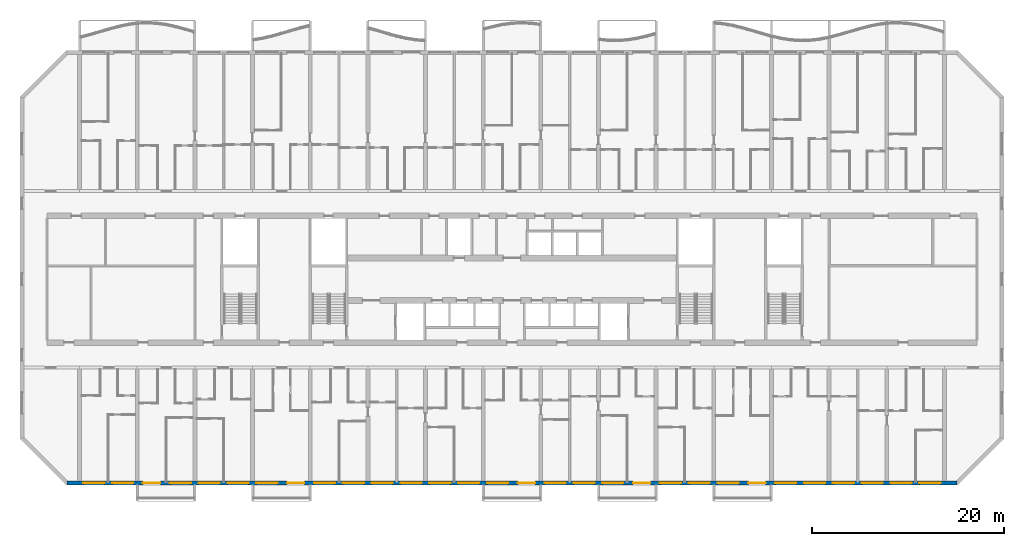
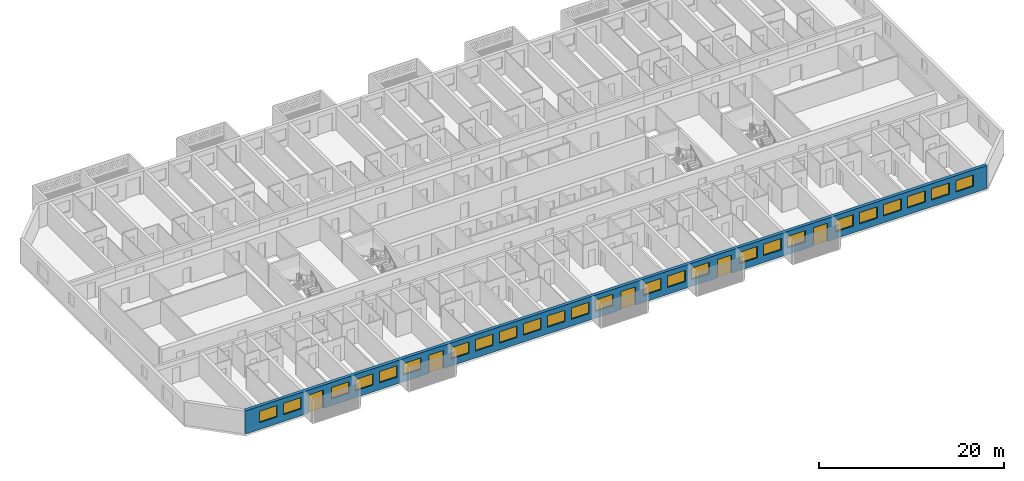
# One storey, part 5 of 40: 25 windows, 5 doors, 1 wall, 30 openings.
"""IFC4 building model written with IfcOpenShell, lengths in metres."""

import ifcopenshell
import ifcopenshell.guid

model = None  # the IFC model being written
_history = None  # IfcOwnerHistory: only IFC2X3 demands one
_inside = {}  # id of a spatial element -> (the spatial element, [elements in it])
_under = {}  # id of a project, library or spatial element -> (it, [spatial elements below it])
_declared = {}  # id of a project -> (the project, [libraries it declares])
_typed = {}  # id of a type object -> (the type object, [elements of that type])
_made_of = {}  # id of a material, layer set ... -> (it, [elements and type objects made of it])


def new_model(schema):
    """Start an empty IFC model of exactly this schema.

    Asked for "IFC4X3", IfcOpenShell would pick the latest addendum, in which some entities
    have other attributes; the version numbers below select the first issue.
    IFC2X3 requires an IfcOwnerHistory on every rooted entity: one is made here for all.
    """
    global model, _history
    if schema == "IFC4X3":
        model = ifcopenshell.file(schema_version=(4, 3, 0, 0))
    else:
        model = ifcopenshell.file(schema=schema)
    _inside.clear()
    _under.clear()
    _declared.clear()
    _typed.clear()
    _made_of.clear()
    _history = None
    if model.schema == "IFC2X3":
        org = make("IfcOrganization", Name="unknown")
        user = make(
            "IfcPersonAndOrganization",
            ThePerson=make("IfcPerson", FamilyName="unknown"),
            TheOrganization=org,
        )
        app = make(
            "IfcApplication",
            ApplicationDeveloper=org,
            Version="unknown",
            ApplicationFullName="unknown",
            ApplicationIdentifier="unknown",
        )
        _history = make(
            "IfcOwnerHistory",
            OwningUser=user,
            OwningApplication=app,
            ChangeAction="ADDED",
            CreationDate=0,
        )
    return model


def make(cls, **values):
    """One entity of the class cls with the attributes given. An attribute that is None is left unset."""
    return model.create_entity(
        cls, **{name: value for name, value in values.items() if value is not None}
    )


def rooted(cls, **values):
    """An entity with a GlobalId (a new one), such as an element, a storey or a relation."""
    return make(cls, GlobalId=ifcopenshell.guid.new(), OwnerHistory=_history, **values)


def si_unit(unit_type, name, prefix=None):
    """IfcSIUnit, for example si_unit("LENGTHUNIT", "METRE", prefix="MILLI")."""
    return make("IfcSIUnit", UnitType=unit_type, Prefix=prefix, Name=name)


def assignment(units):
    """IfcUnitAssignment: the units of a project."""
    return None if units is None else make("IfcUnitAssignment", Units=units)


def point(xyz):
    """IfcCartesianPoint."""
    return None if xyz is None else make("IfcCartesianPoint", Coordinates=xyz)


def direction(xyz):
    """IfcDirection."""
    return None if xyz is None else make("IfcDirection", DirectionRatios=xyz)


def frame(location, z_axis=None, x_axis=None):
    """IfcAxis2Placement3D, a coordinate frame: its origin and axes. An axis left out is left unset."""
    return make(
        "IfcAxis2Placement3D",
        Location=point(location),
        Axis=direction(z_axis),
        RefDirection=direction(x_axis),
    )


def frame_2d(location, x_axis=None):
    """IfcAxis2Placement2D, a coordinate frame in the plane: its origin and x axis."""
    return make(
        "IfcAxis2Placement2D", Location=point(location), RefDirection=direction(x_axis)
    )


def origin():
    """The frame at (0, 0, 0) with its axes left unset."""
    return frame((0.0, 0.0, 0.0))


def place(relative_to, where):
    """IfcLocalPlacement: puts the frame where relative to a parent placement (None: the world)."""
    return make(
        "IfcLocalPlacement", PlacementRelTo=relative_to, RelativePlacement=where
    )


def context(
    kind, dimensions, precision=None, world=None, true_north=None, identifier=None
):
    """IfcGeometricRepresentationContext, for example the 3D "Model" context."""
    return make(
        "IfcGeometricRepresentationContext",
        ContextIdentifier=identifier,
        ContextType=kind,
        CoordinateSpaceDimension=dimensions,
        Precision=precision,
        WorldCoordinateSystem=world,
        TrueNorth=true_north,
    )


def subcontext(parent, identifier, kind, view, scale=None):
    """IfcGeometricRepresentationSubContext, for example "Body" below "Model"."""
    return make(
        "IfcGeometricRepresentationSubContext",
        ContextIdentifier=identifier,
        ContextType=kind,
        ParentContext=parent,
        TargetScale=scale,
        TargetView=view,
    )


def project(units=None, contexts=None):
    """IfcProject with its units and contexts."""
    return rooted(
        "IfcProject",
        Name="project",
        RepresentationContexts=contexts,
        UnitsInContext=assignment(units),
    )


def spatial(cls, under=None, at=None, **own):
    """A site, building, storey or space (cls), placed at a placement, below another one or the project."""
    s = rooted(cls, ObjectPlacement=at, **own)
    if under is not None:
        _under.setdefault(under.id(), (under, []))[1].append(s)
    return s


def profile(cls, at=None, kind="AREA", **sizes):
    """A parametric profile (cls). Its sizes go by their IFC names, for example OverallWidth=200.0."""
    return make(cls, ProfileType=kind, Position=at, **sizes)


def rectangle(**sizes):
    """IfcRectangleProfileDef."""
    return profile("IfcRectangleProfileDef", **sizes)


def extrude(swept, where, along, depth):
    """IfcExtrudedAreaSolid: the profile swept, set in the frame where, extruded along a direction by depth."""
    return make(
        "IfcExtrudedAreaSolid",
        SweptArea=swept,
        Position=where,
        ExtrudedDirection=direction(along),
        Depth=depth,
    )


def shape(context_of_items, identifier, shape_type, items):
    """IfcShapeRepresentation: the items that make up one representation, for example the "Body"."""
    return make(
        "IfcShapeRepresentation",
        ContextOfItems=context_of_items,
        RepresentationIdentifier=identifier,
        RepresentationType=shape_type,
        Items=items,
    )


def material(Name=None, Category=None):
    """IfcMaterial."""
    return make("IfcMaterial", Name=Name, Category=Category)


def layer(
    of_material, thickness, ventilated=None, Name=None, Category=None, Priority=None
):
    """IfcMaterialLayer: one layer of a wall or slab, of a material (None: an air gap)."""
    return make(
        "IfcMaterialLayer",
        Material=of_material,
        LayerThickness=thickness,
        IsVentilated=ventilated,
        Name=Name,
        Category=Category,
        Priority=Priority,
    )


def layer_set(layers, Name=None):
    """IfcMaterialLayerSet."""
    return make("IfcMaterialLayerSet", MaterialLayers=layers, LayerSetName=Name)


def made_of(thing, what):
    """Note that an element or type object is made of a material, layer set ...; save() writes the relation."""
    if what is not None:
        _made_of.setdefault(what.id(), (what, []))[1].append(thing)
    return thing


def type_object(cls, material=None, **own):
    """A type object (cls), such as IfcWallType, which elements share."""
    return made_of(rooted(cls, **own), material)


def element(
    cls,
    number,
    at=None,
    inside=None,
    cuts=None,
    type_object=None,
    material=None,
    context=None,
    identifier="Body",
    shape_type=None,
    held_by="IfcProductDefinitionShape",
    body=None,
    shapes=None,
    **own,
):
    """One element of the class cls, such as IfcWall. Its Tag is "e" and its number.

    at: its placement. inside: the storey or other place that contains it. cuts: it is an
    opening in that element (IfcRelVoidsElement). A single representation is given by context,
    identifier, shape_type and body (its items); several are given by shapes. held_by: the class
    of the entity that holds the representations. save() writes the other relations.
    """
    e = rooted(cls, Tag="e%d" % number, ObjectPlacement=at, **own)
    if body is not None:
        shapes = [shape(context, identifier, shape_type, body)]
    if shapes is not None:
        e.Representation = make(held_by, Representations=shapes)
    if inside is not None:
        _inside.setdefault(inside.id(), (inside, []))[1].append(e)
    if cuts is not None:
        rooted(
            "IfcRelVoidsElement", RelatingBuildingElement=cuts, RelatedOpeningElement=e
        )
    if type_object is not None:
        _typed.setdefault(type_object.id(), (type_object, []))[1].append(e)
    return made_of(e, material)


def fill(opening, filler):
    """IfcRelFillsElement: the door or window that sits in an opening."""
    return rooted(
        "IfcRelFillsElement",
        RelatingOpeningElement=opening,
        RelatedBuildingElement=filler,
    )


def aggregate(whole, parts):
    """IfcRelAggregates: a whole, such as a stair, and the parts it consists of."""
    return rooted("IfcRelAggregates", RelatingObject=whole, RelatedObjects=parts)


def save(model, path):
    """Write the relations noted so far, then the file.

    IfcRelAggregates (storeys below a building ...), IfcRelContainedInSpatialStructure (elements
    in a storey), IfcRelDefinesByType, IfcRelAssociatesMaterial and IfcRelDeclares: one each for
    every whole, place, type object, material and project.
    """
    for whole, parts in _under.values():
        aggregate(whole, parts)
    for where, things in _inside.values():
        rooted(
            "IfcRelContainedInSpatialStructure",
            RelatedElements=things,
            RelatingStructure=where,
        )
    for kind, things in _typed.values():
        rooted("IfcRelDefinesByType", RelatedObjects=things, RelatingType=kind)
    for what, things in _made_of.values():
        rooted("IfcRelAssociatesMaterial", RelatedObjects=things, RelatingMaterial=what)
    for by, libraries in _declared.values():
        rooted("IfcRelDeclares", RelatingContext=by, RelatedDefinitions=libraries)
    model.write(path)


model = new_model("IFC4")

# Units and contexts
model_context = context("Model", 3, precision=1e-05, world=origin(), true_north=direction((0.0, 1.0)))
body_context = subcontext(model_context, "Body", "Model", "MODEL_VIEW")
ifc_project = project(units=[si_unit("LENGTHUNIT", "METRE"), si_unit("AREAUNIT", "SQUARE_METRE"), si_unit("VOLUMEUNIT", "CUBIC_METRE"), si_unit("PLANEANGLEUNIT", "RADIAN"), si_unit("MASSUNIT", "GRAM", prefix="KILO")], contexts=[model_context])

# Site, building, storey
site_placement = place(None, origin())
site = spatial("IfcSite", under=ifc_project, at=site_placement, CompositionType="ELEMENT")
building_placement = place(site_placement, origin())
building = spatial("IfcBuilding", under=site, at=building_placement, Name="Poui Terraces", CompositionType="ELEMENT")
storey_placement = place(building_placement, frame((0.0, 0.0, 33.300048828125)))
storey = spatial("IfcBuildingStorey", under=building, at=storey_placement, Name="L08", CompositionType="ELEMENT", Elevation=33.300048828125)

# Wall, openings, doors, windows
ifc_material_1 = material(Name="Precast concrete 40 MPa", Category="concrete")
ifc_layer = layer(ifc_material_1, 0.39990234375)
ifc_layer_set = layer_set([ifc_layer], Name="Precast concrete 40 MPa")
wall_type = type_object("IfcWallType", Name="EXTERNAL WALL 400", PredefinedType="STANDARD", material=ifc_layer_set)
wall_placement = place(storey_placement, frame((4.682861328125, 0.0, 0.0), z_axis=(0.0, 0.0, 1.0), x_axis=(1.0, 0.0, 0.0)))
wall = element("IfcWall", 1, at=wall_placement, inside=storey, type_object=wall_type, Name="EXTERNAL WALL S", PredefinedType="STANDARD", context=body_context, shape_type="SweptSolid", body=[
    extrude(rectangle(XDim=92.63427734375, YDim=0.39990234375, at=frame_2d((46.317138671875, 0.0))), origin(), (0.0, 0.0, 1.0), 3.050048828125),
])
opening_1_placement = place(wall_placement, frame((1.71728515625, 0.0, 0.89990234375)))
opening_1 = element("IfcOpeningElement", 2, at=opening_1_placement, cuts=wall, Name="Opening W1", PredefinedType="OPENING", context=body_context, shape_type="SweptSolid", body=[
    extrude(rectangle(XDim=2.199951171875, YDim=1.5, at=frame_2d((1.10009765625, 0.75))), frame((0.0, 0.2099609375, 0.0), z_axis=(0.0, -1.0, 0.0), x_axis=(1.0, 0.0, 0.0)), (0.0, 0.0, 1.0), 0.419921875),
])
opening_2_placement = place(wall_placement, frame((4.71728515625, 0.0, 0.89990234375)))
opening_2 = element("IfcOpeningElement", 3, at=opening_2_placement, cuts=wall, Name="Opening W1", PredefinedType="OPENING", context=body_context, shape_type="SweptSolid", body=[
    extrude(rectangle(XDim=2.199951171875, YDim=1.5, at=frame_2d((1.10009765625, 0.75))), frame((0.0, 0.2099609375, 0.0), z_axis=(0.0, -1.0, 0.0), x_axis=(1.0, 0.0, 0.0)), (0.0, 0.0, 1.0), 0.419921875),
])
opening_3_placement = place(wall_placement, frame((7.917236328125, 0.0, 0.0)))
opening_3 = element("IfcOpeningElement", 4, at=opening_3_placement, cuts=wall, Name="Opening BD1", PredefinedType="OPENING", context=body_context, shape_type="SweptSolid", body=[
    extrude(rectangle(XDim=1.800048828125, YDim=2.39990234375, at=frame_2d((0.89990234375, 1.199951171875))), frame((0.0, 0.2099609375, 0.0), z_axis=(0.0, -1.0, 0.0), x_axis=(1.0, 0.0, 0.0)), (0.0, 0.0, 1.0), 0.419921875),
])
opening_4_placement = place(wall_placement, frame((10.71728515625, 0.0, 0.89990234375)))
opening_4 = element("IfcOpeningElement", 5, at=opening_4_placement, cuts=wall, Name="Opening W1", PredefinedType="OPENING", context=body_context, shape_type="SweptSolid", body=[
    extrude(rectangle(XDim=2.199951171875, YDim=1.5, at=frame_2d((1.10009765625, 0.75))), frame((0.0, 0.2099609375, 0.0), z_axis=(0.0, -1.0, 0.0), x_axis=(1.0, 0.0, 0.0)), (0.0, 0.0, 1.0), 0.419921875),
])
opening_5_placement = place(wall_placement, frame((13.71728515625, 0.0, 0.89990234375)))
opening_5 = element("IfcOpeningElement", 6, at=opening_5_placement, cuts=wall, Name="Opening W1", PredefinedType="OPENING", context=body_context, shape_type="SweptSolid", body=[
    extrude(rectangle(XDim=2.199951171875, YDim=1.5, at=frame_2d((1.10009765625, 0.75))), frame((0.0, 0.2099609375, 0.0), z_axis=(0.0, -1.0, 0.0), x_axis=(1.0, 0.0, 0.0)), (0.0, 0.0, 1.0), 0.419921875),
])
opening_6_placement = place(wall_placement, frame((16.71728515625, 0.0, 0.89990234375)))
opening_6 = element("IfcOpeningElement", 7, at=opening_6_placement, cuts=wall, Name="Opening W1", PredefinedType="OPENING", context=body_context, shape_type="SweptSolid", body=[
    extrude(rectangle(XDim=2.199951171875, YDim=1.5, at=frame_2d((1.10009765625, 0.75))), frame((0.0, 0.2099609375, 0.0), z_axis=(0.0, -1.0, 0.0), x_axis=(1.0, 0.0, 0.0)), (0.0, 0.0, 1.0), 0.419921875),
])
opening_7_placement = place(wall_placement, frame((19.71728515625, 0.0, 0.89990234375)))
opening_7 = element("IfcOpeningElement", 8, at=opening_7_placement, cuts=wall, Name="Opening W1", PredefinedType="OPENING", context=body_context, shape_type="SweptSolid", body=[
    extrude(rectangle(XDim=2.199951171875, YDim=1.5, at=frame_2d((1.10009765625, 0.75))), frame((0.0, 0.2099609375, 0.0), z_axis=(0.0, -1.0, 0.0), x_axis=(1.0, 0.0, 0.0)), (0.0, 0.0, 1.0), 0.419921875),
])
opening_8_placement = place(wall_placement, frame((22.917236328125, 0.0, 0.0)))
opening_8 = element("IfcOpeningElement", 9, at=opening_8_placement, cuts=wall, Name="Opening BD1", PredefinedType="OPENING", context=body_context, shape_type="SweptSolid", body=[
    extrude(rectangle(XDim=1.800048828125, YDim=2.39990234375, at=frame_2d((0.89990234375, 1.199951171875))), frame((0.0, 0.2099609375, 0.0), z_axis=(0.0, -1.0, 0.0), x_axis=(1.0, 0.0, 0.0)), (0.0, 0.0, 1.0), 0.419921875),
])
opening_9_placement = place(wall_placement, frame((25.71728515625, 0.0, 0.89990234375)))
opening_9 = element("IfcOpeningElement", 10, at=opening_9_placement, cuts=wall, Name="Opening W1", PredefinedType="OPENING", context=body_context, shape_type="SweptSolid", body=[
    extrude(rectangle(XDim=2.199951171875, YDim=1.5, at=frame_2d((1.10009765625, 0.75))), frame((0.0, 0.2099609375, 0.0), z_axis=(0.0, -1.0, 0.0), x_axis=(1.0, 0.0, 0.0)), (0.0, 0.0, 1.0), 0.419921875),
])
opening_10_placement = place(wall_placement, frame((28.71728515625, 0.0, 0.89990234375)))
opening_10 = element("IfcOpeningElement", 11, at=opening_10_placement, cuts=wall, Name="Opening W1", PredefinedType="OPENING", context=body_context, shape_type="SweptSolid", body=[
    extrude(rectangle(XDim=2.199951171875, YDim=1.5, at=frame_2d((1.10009765625, 0.75))), frame((0.0, 0.2099609375, 0.0), z_axis=(0.0, -1.0, 0.0), x_axis=(1.0, 0.0, 0.0)), (0.0, 0.0, 1.0), 0.419921875),
])
opening_11_placement = place(wall_placement, frame((31.71728515625, 0.0, 0.89990234375)))
opening_11 = element("IfcOpeningElement", 12, at=opening_11_placement, cuts=wall, Name="Opening W1", PredefinedType="OPENING", context=body_context, shape_type="SweptSolid", body=[
    extrude(rectangle(XDim=2.199951171875, YDim=1.5, at=frame_2d((1.10009765625, 0.75))), frame((0.0, 0.2099609375, 0.0), z_axis=(0.0, -1.0, 0.0), x_axis=(1.0, 0.0, 0.0)), (0.0, 0.0, 1.0), 0.419921875),
])
opening_12_placement = place(wall_placement, frame((34.71728515625, 0.0, 0.89990234375)))
opening_12 = element("IfcOpeningElement", 13, at=opening_12_placement, cuts=wall, Name="Opening W1", PredefinedType="OPENING", context=body_context, shape_type="SweptSolid", body=[
    extrude(rectangle(XDim=2.199951171875, YDim=1.5, at=frame_2d((1.10009765625, 0.75))), frame((0.0, 0.2099609375, 0.0), z_axis=(0.0, -1.0, 0.0), x_axis=(1.0, 0.0, 0.0)), (0.0, 0.0, 1.0), 0.419921875),
])
opening_13_placement = place(wall_placement, frame((37.71728515625, 0.0, 0.89990234375)))
opening_13 = element("IfcOpeningElement", 14, at=opening_13_placement, cuts=wall, Name="Opening W1", PredefinedType="OPENING", context=body_context, shape_type="SweptSolid", body=[
    extrude(rectangle(XDim=2.199951171875, YDim=1.5, at=frame_2d((1.10009765625, 0.75))), frame((0.0, 0.2099609375, 0.0), z_axis=(0.0, -1.0, 0.0), x_axis=(1.0, 0.0, 0.0)), (0.0, 0.0, 1.0), 0.419921875),
])
opening_14_placement = place(wall_placement, frame((40.71728515625, 0.0, 0.89990234375)))
opening_14 = element("IfcOpeningElement", 15, at=opening_14_placement, cuts=wall, Name="Opening W1", PredefinedType="OPENING", context=body_context, shape_type="SweptSolid", body=[
    extrude(rectangle(XDim=2.199951171875, YDim=1.5, at=frame_2d((1.10009765625, 0.75))), frame((0.0, 0.2099609375, 0.0), z_axis=(0.0, -1.0, 0.0), x_axis=(1.0, 0.0, 0.0)), (0.0, 0.0, 1.0), 0.419921875),
])
opening_15_placement = place(wall_placement, frame((43.71728515625, 0.0, 0.89990234375)))
opening_15 = element("IfcOpeningElement", 16, at=opening_15_placement, cuts=wall, Name="Opening W1", PredefinedType="OPENING", context=body_context, shape_type="SweptSolid", body=[
    extrude(rectangle(XDim=2.199951171875, YDim=1.5, at=frame_2d((1.10009765625, 0.75))), frame((0.0, 0.2099609375, 0.0), z_axis=(0.0, -1.0, 0.0), x_axis=(1.0, 0.0, 0.0)), (0.0, 0.0, 1.0), 0.419921875),
])
opening_16_placement = place(wall_placement, frame((46.917236328125, 0.0, 0.0)))
opening_16 = element("IfcOpeningElement", 17, at=opening_16_placement, cuts=wall, Name="Opening BD1", PredefinedType="OPENING", context=body_context, shape_type="SweptSolid", body=[
    extrude(rectangle(XDim=1.800048828125, YDim=2.39990234375, at=frame_2d((0.89990234375, 1.199951171875))), frame((0.0, 0.2099609375, 0.0), z_axis=(0.0, -1.0, 0.0), x_axis=(1.0, 0.0, 0.0)), (0.0, 0.0, 1.0), 0.419921875),
])
opening_17_placement = place(wall_placement, frame((49.71728515625, 0.0, 0.89990234375)))
opening_17 = element("IfcOpeningElement", 18, at=opening_17_placement, cuts=wall, Name="Opening W1", PredefinedType="OPENING", context=body_context, shape_type="SweptSolid", body=[
    extrude(rectangle(XDim=2.199951171875, YDim=1.5, at=frame_2d((1.10009765625, 0.75))), frame((0.0, 0.2099609375, 0.0), z_axis=(0.0, -1.0, 0.0), x_axis=(1.0, 0.0, 0.0)), (0.0, 0.0, 1.0), 0.419921875),
])
opening_18_placement = place(wall_placement, frame((52.71728515625, 0.0, 0.89990234375)))
opening_18 = element("IfcOpeningElement", 19, at=opening_18_placement, cuts=wall, Name="Opening W1", PredefinedType="OPENING", context=body_context, shape_type="SweptSolid", body=[
    extrude(rectangle(XDim=2.199951171875, YDim=1.5, at=frame_2d((1.10009765625, 0.75))), frame((0.0, 0.2099609375, 0.0), z_axis=(0.0, -1.0, 0.0), x_axis=(1.0, 0.0, 0.0)), (0.0, 0.0, 1.0), 0.419921875),
])
opening_19_placement = place(wall_placement, frame((55.71728515625, 0.0, 0.89990234375)))
opening_19 = element("IfcOpeningElement", 20, at=opening_19_placement, cuts=wall, Name="Opening W1", PredefinedType="OPENING", context=body_context, shape_type="SweptSolid", body=[
    extrude(rectangle(XDim=2.199951171875, YDim=1.5, at=frame_2d((1.10009765625, 0.75))), frame((0.0, 0.2099609375, 0.0), z_axis=(0.0, -1.0, 0.0), x_axis=(1.0, 0.0, 0.0)), (0.0, 0.0, 1.0), 0.419921875),
])
opening_20_placement = place(wall_placement, frame((58.917236328125, 0.0, 0.0)))
opening_20 = element("IfcOpeningElement", 21, at=opening_20_placement, cuts=wall, Name="Opening BD1", PredefinedType="OPENING", context=body_context, shape_type="SweptSolid", body=[
    extrude(rectangle(XDim=1.800048828125, YDim=2.39990234375, at=frame_2d((0.89990234375, 1.199951171875))), frame((0.0, 0.2099609375, 0.0), z_axis=(0.0, -1.0, 0.0), x_axis=(1.0, 0.0, 0.0)), (0.0, 0.0, 1.0), 0.419921875),
])
opening_21_placement = place(wall_placement, frame((61.71728515625, 0.0, 0.89990234375)))
opening_21 = element("IfcOpeningElement", 22, at=opening_21_placement, cuts=wall, Name="Opening W1", PredefinedType="OPENING", context=body_context, shape_type="SweptSolid", body=[
    extrude(rectangle(XDim=2.199951171875, YDim=1.5, at=frame_2d((1.10009765625, 0.75))), frame((0.0, 0.2099609375, 0.0), z_axis=(0.0, -1.0, 0.0), x_axis=(1.0, 0.0, 0.0)), (0.0, 0.0, 1.0), 0.419921875),
])
opening_22_placement = place(wall_placement, frame((64.71728515625, 0.0, 0.89990234375)))
opening_22 = element("IfcOpeningElement", 23, at=opening_22_placement, cuts=wall, Name="Opening W1", PredefinedType="OPENING", context=body_context, shape_type="SweptSolid", body=[
    extrude(rectangle(XDim=2.199951171875, YDim=1.5, at=frame_2d((1.10009765625, 0.75))), frame((0.0, 0.2099609375, 0.0), z_axis=(0.0, -1.0, 0.0), x_axis=(1.0, 0.0, 0.0)), (0.0, 0.0, 1.0), 0.419921875),
])
opening_23_placement = place(wall_placement, frame((67.71728515625, 0.0, 0.89990234375)))
opening_23 = element("IfcOpeningElement", 24, at=opening_23_placement, cuts=wall, Name="Opening W1", PredefinedType="OPENING", context=body_context, shape_type="SweptSolid", body=[
    extrude(rectangle(XDim=2.199951171875, YDim=1.5, at=frame_2d((1.10009765625, 0.75))), frame((0.0, 0.2099609375, 0.0), z_axis=(0.0, -1.0, 0.0), x_axis=(1.0, 0.0, 0.0)), (0.0, 0.0, 1.0), 0.419921875),
])
opening_24_placement = place(wall_placement, frame((70.917236328125, 0.0, 0.0)))
opening_24 = element("IfcOpeningElement", 25, at=opening_24_placement, cuts=wall, Name="Opening BD1", PredefinedType="OPENING", context=body_context, shape_type="SweptSolid", body=[
    extrude(rectangle(XDim=1.800048828125, YDim=2.39990234375, at=frame_2d((0.89990234375, 1.199951171875))), frame((0.0, 0.2099609375, 0.0), z_axis=(0.0, -1.0, 0.0), x_axis=(1.0, 0.0, 0.0)), (0.0, 0.0, 1.0), 0.419921875),
])
opening_25_placement = place(wall_placement, frame((73.71728515625, 0.0, 0.89990234375)))
opening_25 = element("IfcOpeningElement", 26, at=opening_25_placement, cuts=wall, Name="Opening W1", PredefinedType="OPENING", context=body_context, shape_type="SweptSolid", body=[
    extrude(rectangle(XDim=2.199951171875, YDim=1.5, at=frame_2d((1.10009765625, 0.75))), frame((0.0, 0.2099609375, 0.0), z_axis=(0.0, -1.0, 0.0), x_axis=(1.0, 0.0, 0.0)), (0.0, 0.0, 1.0), 0.419921875),
])
opening_26_placement = place(wall_placement, frame((76.71728515625, 0.0, 0.89990234375)))
opening_26 = element("IfcOpeningElement", 27, at=opening_26_placement, cuts=wall, Name="Opening W1", PredefinedType="OPENING", context=body_context, shape_type="SweptSolid", body=[
    extrude(rectangle(XDim=2.199951171875, YDim=1.5, at=frame_2d((1.10009765625, 0.75))), frame((0.0, 0.2099609375, 0.0), z_axis=(0.0, -1.0, 0.0), x_axis=(1.0, 0.0, 0.0)), (0.0, 0.0, 1.0), 0.419921875),
])
opening_27_placement = place(wall_placement, frame((79.71728515625, 0.0, 0.89990234375)))
opening_27 = element("IfcOpeningElement", 28, at=opening_27_placement, cuts=wall, Name="Opening W1", PredefinedType="OPENING", context=body_context, shape_type="SweptSolid", body=[
    extrude(rectangle(XDim=2.199951171875, YDim=1.5, at=frame_2d((1.10009765625, 0.75))), frame((0.0, 0.2099609375, 0.0), z_axis=(0.0, -1.0, 0.0), x_axis=(1.0, 0.0, 0.0)), (0.0, 0.0, 1.0), 0.419921875),
])
opening_28_placement = place(wall_placement, frame((82.71728515625, 0.0, 0.89990234375)))
opening_28 = element("IfcOpeningElement", 29, at=opening_28_placement, cuts=wall, Name="Opening W1", PredefinedType="OPENING", context=body_context, shape_type="SweptSolid", body=[
    extrude(rectangle(XDim=2.199951171875, YDim=1.5, at=frame_2d((1.10009765625, 0.75))), frame((0.0, 0.2099609375, 0.0), z_axis=(0.0, -1.0, 0.0), x_axis=(1.0, 0.0, 0.0)), (0.0, 0.0, 1.0), 0.419921875),
])
opening_29_placement = place(wall_placement, frame((85.71728515625, 0.0, 0.89990234375)))
opening_29 = element("IfcOpeningElement", 30, at=opening_29_placement, cuts=wall, Name="Opening W1", PredefinedType="OPENING", context=body_context, shape_type="SweptSolid", body=[
    extrude(rectangle(XDim=2.199951171875, YDim=1.5, at=frame_2d((1.10009765625, 0.75))), frame((0.0, 0.2099609375, 0.0), z_axis=(0.0, -1.0, 0.0), x_axis=(1.0, 0.0, 0.0)), (0.0, 0.0, 1.0), 0.419921875),
])
opening_30_placement = place(wall_placement, frame((88.71728515625, 0.0, 0.89990234375)))
opening_30 = element("IfcOpeningElement", 31, at=opening_30_placement, cuts=wall, Name="Opening W1", PredefinedType="OPENING", context=body_context, shape_type="SweptSolid", body=[
    extrude(rectangle(XDim=2.199951171875, YDim=1.5, at=frame_2d((1.10009765625, 0.75))), frame((0.0, 0.2099609375, 0.0), z_axis=(0.0, -1.0, 0.0), x_axis=(1.0, 0.0, 0.0)), (0.0, 0.0, 1.0), 0.419921875),
])
ifc_material_2 = material(Name="Clear glass in aluminium frame", Category="aluminium")
door_type = type_object("IfcDoorType", Name="BALCONY DOOR 1800X2400", OperationType="DOUBLE_DOOR_SLIDING", PredefinedType="DOOR", material=ifc_material_2)
door_1_placement = place(opening_3_placement, origin())
door_1 = element("IfcDoor", 32, at=door_1_placement, inside=storey, type_object=door_type, Name="BD1 BALCONY DOOR", OperationType="DOUBLE_DOOR_SLIDING", OverallHeight=2.39990234375, OverallWidth=1.800048828125, PredefinedType="DOOR", context=body_context, shape_type="SweptSolid", body=[
    extrude(rectangle(XDim=1.800048828125, YDim=2.39990234375, at=frame_2d((0.89990234375, 1.199951171875))), frame((0.0, 0.02490234375, 0.0), z_axis=(0.0, -1.0, 0.0), x_axis=(1.0, 0.0, 0.0)), (0.0, 0.0, 1.0), 0.050048828125),
])
fill(opening_3, door_1)
door_2_placement = place(opening_8_placement, origin())
door_2 = element("IfcDoor", 33, at=door_2_placement, inside=storey, type_object=door_type, Name="BD1 BALCONY DOOR", OperationType="DOUBLE_DOOR_SLIDING", OverallHeight=2.39990234375, OverallWidth=1.800048828125, PredefinedType="DOOR", context=body_context, shape_type="SweptSolid", body=[
    extrude(rectangle(XDim=1.800048828125, YDim=2.39990234375, at=frame_2d((0.89990234375, 1.199951171875))), frame((0.0, 0.02490234375, 0.0), z_axis=(0.0, -1.0, 0.0), x_axis=(1.0, 0.0, 0.0)), (0.0, 0.0, 1.0), 0.050048828125),
])
fill(opening_8, door_2)
door_3_placement = place(opening_16_placement, origin())
door_3 = element("IfcDoor", 34, at=door_3_placement, inside=storey, type_object=door_type, Name="BD1 BALCONY DOOR", OperationType="DOUBLE_DOOR_SLIDING", OverallHeight=2.39990234375, OverallWidth=1.800048828125, PredefinedType="DOOR", context=body_context, shape_type="SweptSolid", body=[
    extrude(rectangle(XDim=1.800048828125, YDim=2.39990234375, at=frame_2d((0.89990234375, 1.199951171875))), frame((0.0, 0.02490234375, 0.0), z_axis=(0.0, -1.0, 0.0), x_axis=(1.0, 0.0, 0.0)), (0.0, 0.0, 1.0), 0.050048828125),
])
fill(opening_16, door_3)
door_4_placement = place(opening_20_placement, origin())
door_4 = element("IfcDoor", 35, at=door_4_placement, inside=storey, type_object=door_type, Name="BD1 BALCONY DOOR", OperationType="DOUBLE_DOOR_SLIDING", OverallHeight=2.39990234375, OverallWidth=1.800048828125, PredefinedType="DOOR", context=body_context, shape_type="SweptSolid", body=[
    extrude(rectangle(XDim=1.800048828125, YDim=2.39990234375, at=frame_2d((0.89990234375, 1.199951171875))), frame((0.0, 0.02490234375, 0.0), z_axis=(0.0, -1.0, 0.0), x_axis=(1.0, 0.0, 0.0)), (0.0, 0.0, 1.0), 0.050048828125),
])
fill(opening_20, door_4)
door_5_placement = place(opening_24_placement, origin())
door_5 = element("IfcDoor", 36, at=door_5_placement, inside=storey, type_object=door_type, Name="BD1 BALCONY DOOR", OperationType="DOUBLE_DOOR_SLIDING", OverallHeight=2.39990234375, OverallWidth=1.800048828125, PredefinedType="DOOR", context=body_context, shape_type="SweptSolid", body=[
    extrude(rectangle(XDim=1.800048828125, YDim=2.39990234375, at=frame_2d((0.89990234375, 1.199951171875))), frame((0.0, 0.02490234375, 0.0), z_axis=(0.0, -1.0, 0.0), x_axis=(1.0, 0.0, 0.0)), (0.0, 0.0, 1.0), 0.050048828125),
])
fill(opening_24, door_5)
window_type = type_object("IfcWindowType", Name="WINDOW 2200X1500", PartitioningType="DOUBLE_PANEL_HORIZONTAL", PredefinedType="WINDOW", material=ifc_material_2)
window_1_placement = place(opening_1_placement, origin())
window_1 = element("IfcWindow", 37, at=window_1_placement, inside=storey, type_object=window_type, Name="W1 WINDOW", OverallHeight=1.5, OverallWidth=2.199951171875, PartitioningType="DOUBLE_PANEL_HORIZONTAL", PredefinedType="WINDOW", context=body_context, shape_type="SweptSolid", body=[
    extrude(rectangle(XDim=2.199951171875, YDim=1.5, at=frame_2d((1.10009765625, 0.75))), frame((0.0, 0.030029296875, 0.0), z_axis=(0.0, -1.0, 0.0), x_axis=(1.0, 0.0, 0.0)), (0.0, 0.0, 1.0), 0.06005859375),
])
fill(opening_1, window_1)
window_2_placement = place(opening_2_placement, origin())
window_2 = element("IfcWindow", 38, at=window_2_placement, inside=storey, type_object=window_type, Name="W1 WINDOW", OverallHeight=1.5, OverallWidth=2.199951171875, PartitioningType="DOUBLE_PANEL_HORIZONTAL", PredefinedType="WINDOW", context=body_context, shape_type="SweptSolid", body=[
    extrude(rectangle(XDim=2.199951171875, YDim=1.5, at=frame_2d((1.10009765625, 0.75))), frame((0.0, 0.030029296875, 0.0), z_axis=(0.0, -1.0, 0.0), x_axis=(1.0, 0.0, 0.0)), (0.0, 0.0, 1.0), 0.06005859375),
])
fill(opening_2, window_2)
window_3_placement = place(opening_4_placement, origin())
window_3 = element("IfcWindow", 39, at=window_3_placement, inside=storey, type_object=window_type, Name="W1 WINDOW", OverallHeight=1.5, OverallWidth=2.199951171875, PartitioningType="DOUBLE_PANEL_HORIZONTAL", PredefinedType="WINDOW", context=body_context, shape_type="SweptSolid", body=[
    extrude(rectangle(XDim=2.199951171875, YDim=1.5, at=frame_2d((1.10009765625, 0.75))), frame((0.0, 0.030029296875, 0.0), z_axis=(0.0, -1.0, 0.0), x_axis=(1.0, 0.0, 0.0)), (0.0, 0.0, 1.0), 0.06005859375),
])
fill(opening_4, window_3)
window_4_placement = place(opening_5_placement, origin())
window_4 = element("IfcWindow", 40, at=window_4_placement, inside=storey, type_object=window_type, Name="W1 WINDOW", OverallHeight=1.5, OverallWidth=2.199951171875, PartitioningType="DOUBLE_PANEL_HORIZONTAL", PredefinedType="WINDOW", context=body_context, shape_type="SweptSolid", body=[
    extrude(rectangle(XDim=2.199951171875, YDim=1.5, at=frame_2d((1.10009765625, 0.75))), frame((0.0, 0.030029296875, 0.0), z_axis=(0.0, -1.0, 0.0), x_axis=(1.0, 0.0, 0.0)), (0.0, 0.0, 1.0), 0.06005859375),
])
fill(opening_5, window_4)
window_5_placement = place(opening_6_placement, origin())
window_5 = element("IfcWindow", 41, at=window_5_placement, inside=storey, type_object=window_type, Name="W1 WINDOW", OverallHeight=1.5, OverallWidth=2.199951171875, PartitioningType="DOUBLE_PANEL_HORIZONTAL", PredefinedType="WINDOW", context=body_context, shape_type="SweptSolid", body=[
    extrude(rectangle(XDim=2.199951171875, YDim=1.5, at=frame_2d((1.10009765625, 0.75))), frame((0.0, 0.030029296875, 0.0), z_axis=(0.0, -1.0, 0.0), x_axis=(1.0, 0.0, 0.0)), (0.0, 0.0, 1.0), 0.06005859375),
])
fill(opening_6, window_5)
window_6_placement = place(opening_7_placement, origin())
window_6 = element("IfcWindow", 42, at=window_6_placement, inside=storey, type_object=window_type, Name="W1 WINDOW", OverallHeight=1.5, OverallWidth=2.199951171875, PartitioningType="DOUBLE_PANEL_HORIZONTAL", PredefinedType="WINDOW", context=body_context, shape_type="SweptSolid", body=[
    extrude(rectangle(XDim=2.199951171875, YDim=1.5, at=frame_2d((1.10009765625, 0.75))), frame((0.0, 0.030029296875, 0.0), z_axis=(0.0, -1.0, 0.0), x_axis=(1.0, 0.0, 0.0)), (0.0, 0.0, 1.0), 0.06005859375),
])
fill(opening_7, window_6)
window_7_placement = place(opening_9_placement, origin())
window_7 = element("IfcWindow", 43, at=window_7_placement, inside=storey, type_object=window_type, Name="W1 WINDOW", OverallHeight=1.5, OverallWidth=2.199951171875, PartitioningType="DOUBLE_PANEL_HORIZONTAL", PredefinedType="WINDOW", context=body_context, shape_type="SweptSolid", body=[
    extrude(rectangle(XDim=2.199951171875, YDim=1.5, at=frame_2d((1.10009765625, 0.75))), frame((0.0, 0.030029296875, 0.0), z_axis=(0.0, -1.0, 0.0), x_axis=(1.0, 0.0, 0.0)), (0.0, 0.0, 1.0), 0.06005859375),
])
fill(opening_9, window_7)
window_8_placement = place(opening_10_placement, origin())
window_8 = element("IfcWindow", 44, at=window_8_placement, inside=storey, type_object=window_type, Name="W1 WINDOW", OverallHeight=1.5, OverallWidth=2.199951171875, PartitioningType="DOUBLE_PANEL_HORIZONTAL", PredefinedType="WINDOW", context=body_context, shape_type="SweptSolid", body=[
    extrude(rectangle(XDim=2.199951171875, YDim=1.5, at=frame_2d((1.10009765625, 0.75))), frame((0.0, 0.030029296875, 0.0), z_axis=(0.0, -1.0, 0.0), x_axis=(1.0, 0.0, 0.0)), (0.0, 0.0, 1.0), 0.06005859375),
])
fill(opening_10, window_8)
window_9_placement = place(opening_11_placement, origin())
window_9 = element("IfcWindow", 45, at=window_9_placement, inside=storey, type_object=window_type, Name="W1 WINDOW", OverallHeight=1.5, OverallWidth=2.199951171875, PartitioningType="DOUBLE_PANEL_HORIZONTAL", PredefinedType="WINDOW", context=body_context, shape_type="SweptSolid", body=[
    extrude(rectangle(XDim=2.199951171875, YDim=1.5, at=frame_2d((1.10009765625, 0.75))), frame((0.0, 0.030029296875, 0.0), z_axis=(0.0, -1.0, 0.0), x_axis=(1.0, 0.0, 0.0)), (0.0, 0.0, 1.0), 0.06005859375),
])
fill(opening_11, window_9)
window_10_placement = place(opening_12_placement, origin())
window_10 = element("IfcWindow", 46, at=window_10_placement, inside=storey, type_object=window_type, Name="W1 WINDOW", OverallHeight=1.5, OverallWidth=2.199951171875, PartitioningType="DOUBLE_PANEL_HORIZONTAL", PredefinedType="WINDOW", context=body_context, shape_type="SweptSolid", body=[
    extrude(rectangle(XDim=2.199951171875, YDim=1.5, at=frame_2d((1.10009765625, 0.75))), frame((0.0, 0.030029296875, 0.0), z_axis=(0.0, -1.0, 0.0), x_axis=(1.0, 0.0, 0.0)), (0.0, 0.0, 1.0), 0.06005859375),
])
fill(opening_12, window_10)
window_11_placement = place(opening_13_placement, origin())
window_11 = element("IfcWindow", 47, at=window_11_placement, inside=storey, type_object=window_type, Name="W1 WINDOW", OverallHeight=1.5, OverallWidth=2.199951171875, PartitioningType="DOUBLE_PANEL_HORIZONTAL", PredefinedType="WINDOW", context=body_context, shape_type="SweptSolid", body=[
    extrude(rectangle(XDim=2.199951171875, YDim=1.5, at=frame_2d((1.10009765625, 0.75))), frame((0.0, 0.030029296875, 0.0), z_axis=(0.0, -1.0, 0.0), x_axis=(1.0, 0.0, 0.0)), (0.0, 0.0, 1.0), 0.06005859375),
])
fill(opening_13, window_11)
window_12_placement = place(opening_14_placement, origin())
window_12 = element("IfcWindow", 48, at=window_12_placement, inside=storey, type_object=window_type, Name="W1 WINDOW", OverallHeight=1.5, OverallWidth=2.199951171875, PartitioningType="DOUBLE_PANEL_HORIZONTAL", PredefinedType="WINDOW", context=body_context, shape_type="SweptSolid", body=[
    extrude(rectangle(XDim=2.199951171875, YDim=1.5, at=frame_2d((1.10009765625, 0.75))), frame((0.0, 0.030029296875, 0.0), z_axis=(0.0, -1.0, 0.0), x_axis=(1.0, 0.0, 0.0)), (0.0, 0.0, 1.0), 0.06005859375),
])
fill(opening_14, window_12)
window_13_placement = place(opening_15_placement, origin())
window_13 = element("IfcWindow", 49, at=window_13_placement, inside=storey, type_object=window_type, Name="W1 WINDOW", OverallHeight=1.5, OverallWidth=2.199951171875, PartitioningType="DOUBLE_PANEL_HORIZONTAL", PredefinedType="WINDOW", context=body_context, shape_type="SweptSolid", body=[
    extrude(rectangle(XDim=2.199951171875, YDim=1.5, at=frame_2d((1.10009765625, 0.75))), frame((0.0, 0.030029296875, 0.0), z_axis=(0.0, -1.0, 0.0), x_axis=(1.0, 0.0, 0.0)), (0.0, 0.0, 1.0), 0.06005859375),
])
fill(opening_15, window_13)
window_14_placement = place(opening_17_placement, origin())
window_14 = element("IfcWindow", 50, at=window_14_placement, inside=storey, type_object=window_type, Name="W1 WINDOW", OverallHeight=1.5, OverallWidth=2.199951171875, PartitioningType="DOUBLE_PANEL_HORIZONTAL", PredefinedType="WINDOW", context=body_context, shape_type="SweptSolid", body=[
    extrude(rectangle(XDim=2.199951171875, YDim=1.5, at=frame_2d((1.10009765625, 0.75))), frame((0.0, 0.030029296875, 0.0), z_axis=(0.0, -1.0, 0.0), x_axis=(1.0, 0.0, 0.0)), (0.0, 0.0, 1.0), 0.06005859375),
])
fill(opening_17, window_14)
window_15_placement = place(opening_18_placement, origin())
window_15 = element("IfcWindow", 51, at=window_15_placement, inside=storey, type_object=window_type, Name="W1 WINDOW", OverallHeight=1.5, OverallWidth=2.199951171875, PartitioningType="DOUBLE_PANEL_HORIZONTAL", PredefinedType="WINDOW", context=body_context, shape_type="SweptSolid", body=[
    extrude(rectangle(XDim=2.199951171875, YDim=1.5, at=frame_2d((1.10009765625, 0.75))), frame((0.0, 0.030029296875, 0.0), z_axis=(0.0, -1.0, 0.0), x_axis=(1.0, 0.0, 0.0)), (0.0, 0.0, 1.0), 0.06005859375),
])
fill(opening_18, window_15)
window_16_placement = place(opening_19_placement, origin())
window_16 = element("IfcWindow", 52, at=window_16_placement, inside=storey, type_object=window_type, Name="W1 WINDOW", OverallHeight=1.5, OverallWidth=2.199951171875, PartitioningType="DOUBLE_PANEL_HORIZONTAL", PredefinedType="WINDOW", context=body_context, shape_type="SweptSolid", body=[
    extrude(rectangle(XDim=2.199951171875, YDim=1.5, at=frame_2d((1.10009765625, 0.75))), frame((0.0, 0.030029296875, 0.0), z_axis=(0.0, -1.0, 0.0), x_axis=(1.0, 0.0, 0.0)), (0.0, 0.0, 1.0), 0.06005859375),
])
fill(opening_19, window_16)
window_17_placement = place(opening_21_placement, origin())
window_17 = element("IfcWindow", 53, at=window_17_placement, inside=storey, type_object=window_type, Name="W1 WINDOW", OverallHeight=1.5, OverallWidth=2.199951171875, PartitioningType="DOUBLE_PANEL_HORIZONTAL", PredefinedType="WINDOW", context=body_context, shape_type="SweptSolid", body=[
    extrude(rectangle(XDim=2.199951171875, YDim=1.5, at=frame_2d((1.10009765625, 0.75))), frame((0.0, 0.030029296875, 0.0), z_axis=(0.0, -1.0, 0.0), x_axis=(1.0, 0.0, 0.0)), (0.0, 0.0, 1.0), 0.06005859375),
])
fill(opening_21, window_17)
window_18_placement = place(opening_22_placement, origin())
window_18 = element("IfcWindow", 54, at=window_18_placement, inside=storey, type_object=window_type, Name="W1 WINDOW", OverallHeight=1.5, OverallWidth=2.199951171875, PartitioningType="DOUBLE_PANEL_HORIZONTAL", PredefinedType="WINDOW", context=body_context, shape_type="SweptSolid", body=[
    extrude(rectangle(XDim=2.199951171875, YDim=1.5, at=frame_2d((1.10009765625, 0.75))), frame((0.0, 0.030029296875, 0.0), z_axis=(0.0, -1.0, 0.0), x_axis=(1.0, 0.0, 0.0)), (0.0, 0.0, 1.0), 0.06005859375),
])
fill(opening_22, window_18)
window_19_placement = place(opening_23_placement, origin())
window_19 = element("IfcWindow", 55, at=window_19_placement, inside=storey, type_object=window_type, Name="W1 WINDOW", OverallHeight=1.5, OverallWidth=2.199951171875, PartitioningType="DOUBLE_PANEL_HORIZONTAL", PredefinedType="WINDOW", context=body_context, shape_type="SweptSolid", body=[
    extrude(rectangle(XDim=2.199951171875, YDim=1.5, at=frame_2d((1.10009765625, 0.75))), frame((0.0, 0.030029296875, 0.0), z_axis=(0.0, -1.0, 0.0), x_axis=(1.0, 0.0, 0.0)), (0.0, 0.0, 1.0), 0.06005859375),
])
fill(opening_23, window_19)
window_20_placement = place(opening_25_placement, origin())
window_20 = element("IfcWindow", 56, at=window_20_placement, inside=storey, type_object=window_type, Name="W1 WINDOW", OverallHeight=1.5, OverallWidth=2.199951171875, PartitioningType="DOUBLE_PANEL_HORIZONTAL", PredefinedType="WINDOW", context=body_context, shape_type="SweptSolid", body=[
    extrude(rectangle(XDim=2.199951171875, YDim=1.5, at=frame_2d((1.10009765625, 0.75))), frame((0.0, 0.030029296875, 0.0), z_axis=(0.0, -1.0, 0.0), x_axis=(1.0, 0.0, 0.0)), (0.0, 0.0, 1.0), 0.06005859375),
])
fill(opening_25, window_20)
window_21_placement = place(opening_26_placement, origin())
window_21 = element("IfcWindow", 57, at=window_21_placement, inside=storey, type_object=window_type, Name="W1 WINDOW", OverallHeight=1.5, OverallWidth=2.199951171875, PartitioningType="DOUBLE_PANEL_HORIZONTAL", PredefinedType="WINDOW", context=body_context, shape_type="SweptSolid", body=[
    extrude(rectangle(XDim=2.199951171875, YDim=1.5, at=frame_2d((1.10009765625, 0.75))), frame((0.0, 0.030029296875, 0.0), z_axis=(0.0, -1.0, 0.0), x_axis=(1.0, 0.0, 0.0)), (0.0, 0.0, 1.0), 0.06005859375),
])
fill(opening_26, window_21)
window_22_placement = place(opening_27_placement, origin())
window_22 = element("IfcWindow", 58, at=window_22_placement, inside=storey, type_object=window_type, Name="W1 WINDOW", OverallHeight=1.5, OverallWidth=2.199951171875, PartitioningType="DOUBLE_PANEL_HORIZONTAL", PredefinedType="WINDOW", context=body_context, shape_type="SweptSolid", body=[
    extrude(rectangle(XDim=2.199951171875, YDim=1.5, at=frame_2d((1.10009765625, 0.75))), frame((0.0, 0.030029296875, 0.0), z_axis=(0.0, -1.0, 0.0), x_axis=(1.0, 0.0, 0.0)), (0.0, 0.0, 1.0), 0.06005859375),
])
fill(opening_27, window_22)
window_23_placement = place(opening_28_placement, origin())
window_23 = element("IfcWindow", 59, at=window_23_placement, inside=storey, type_object=window_type, Name="W1 WINDOW", OverallHeight=1.5, OverallWidth=2.199951171875, PartitioningType="DOUBLE_PANEL_HORIZONTAL", PredefinedType="WINDOW", context=body_context, shape_type="SweptSolid", body=[
    extrude(rectangle(XDim=2.199951171875, YDim=1.5, at=frame_2d((1.10009765625, 0.75))), frame((0.0, 0.030029296875, 0.0), z_axis=(0.0, -1.0, 0.0), x_axis=(1.0, 0.0, 0.0)), (0.0, 0.0, 1.0), 0.06005859375),
])
fill(opening_28, window_23)
window_24_placement = place(opening_29_placement, origin())
window_24 = element("IfcWindow", 60, at=window_24_placement, inside=storey, type_object=window_type, Name="W1 WINDOW", OverallHeight=1.5, OverallWidth=2.199951171875, PartitioningType="DOUBLE_PANEL_HORIZONTAL", PredefinedType="WINDOW", context=body_context, shape_type="SweptSolid", body=[
    extrude(rectangle(XDim=2.199951171875, YDim=1.5, at=frame_2d((1.10009765625, 0.75))), frame((0.0, 0.030029296875, 0.0), z_axis=(0.0, -1.0, 0.0), x_axis=(1.0, 0.0, 0.0)), (0.0, 0.0, 1.0), 0.06005859375),
])
fill(opening_29, window_24)
window_25_placement = place(opening_30_placement, origin())
window_25 = element("IfcWindow", 61, at=window_25_placement, inside=storey, type_object=window_type, Name="W1 WINDOW", OverallHeight=1.5, OverallWidth=2.199951171875, PartitioningType="DOUBLE_PANEL_HORIZONTAL", PredefinedType="WINDOW", context=body_context, shape_type="SweptSolid", body=[
    extrude(rectangle(XDim=2.199951171875, YDim=1.5, at=frame_2d((1.10009765625, 0.75))), frame((0.0, 0.030029296875, 0.0), z_axis=(0.0, -1.0, 0.0), x_axis=(1.0, 0.0, 0.0)), (0.0, 0.0, 1.0), 0.06005859375),
])
fill(opening_30, window_25)

save(model, "model.ifc")
